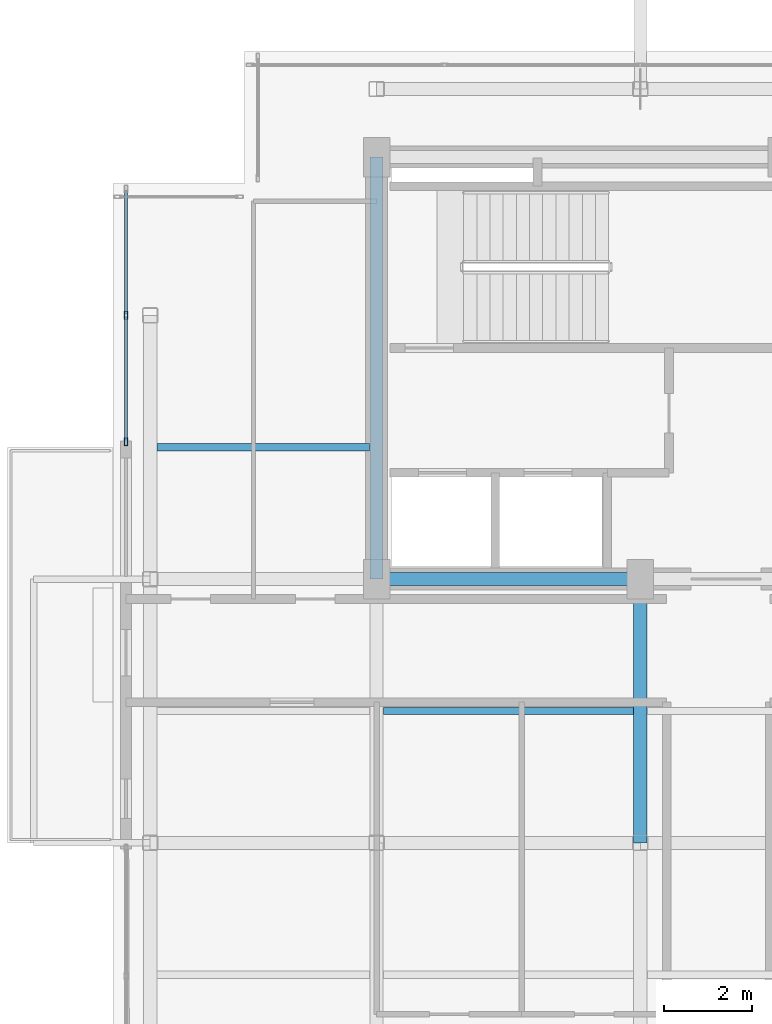
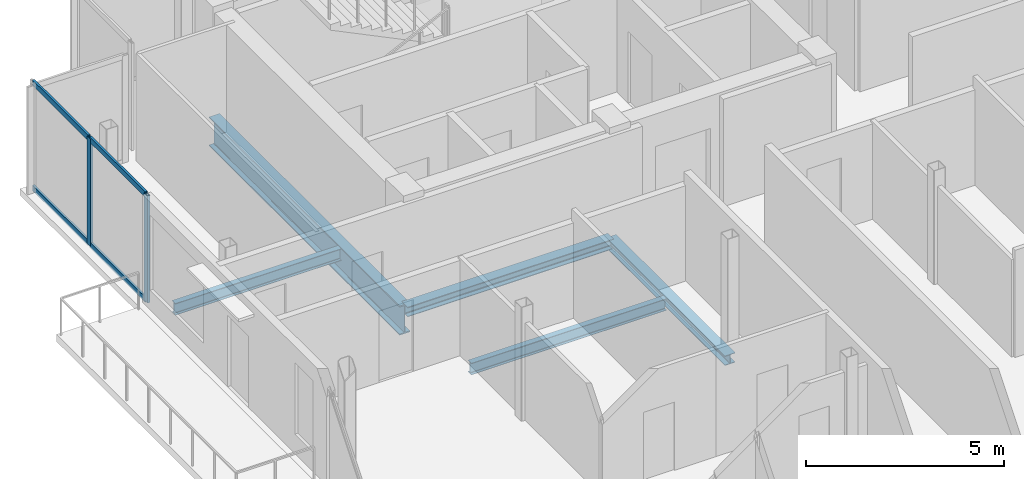
# One storey, part 7 of 18: 6 members, 5 beams, 1 element without a shape of its own.
"""IFC4 building model written with IfcOpenShell, lengths in metres."""

from ifc_helpers import new_model, si_unit, direction, frame, origin, origin_2d, place, context, subcontext, project, spatial, hollow_rectangle, i_section, extrude, material, layer, layer_set, material_profile, profile_set, type_object, element, aggregate, save


model = new_model("IFC4")

# Units and contexts
model_context = context("Model", 3, precision=1e-05, world=origin(), true_north=direction((0.0, 1.0)))
body_context = subcontext(model_context, "Body", "Model", "MODEL_VIEW")
ifc_project = project(units=[si_unit("LENGTHUNIT", "METRE"), si_unit("AREAUNIT", "SQUARE_METRE"), si_unit("VOLUMEUNIT", "CUBIC_METRE"), si_unit("PLANEANGLEUNIT", "RADIAN"), si_unit("MASSUNIT", "GRAM", prefix="KILO"), si_unit("THERMODYNAMICTEMPERATUREUNIT", "KELVIN"), si_unit("POWERUNIT", "WATT")], contexts=[model_context])

# Site, building, storey
site_placement = place(None, origin())
site = spatial("IfcSite", under=ifc_project, at=site_placement, CompositionType="ELEMENT")
building_placement = place(site_placement, origin())
building = spatial("IfcBuilding", under=site, at=building_placement, Name="Svarakhadi Broadcast Tower", CompositionType="ELEMENT")
storey_placement = place(building_placement, frame((0.0, 0.0, 253.699951171875)))
storey = spatial("IfcBuildingStorey", under=building, at=storey_placement, Name="L63", CompositionType="ELEMENT", Elevation=253.699951171875)

# Beams
ifc_material_1 = material(Name="Steel S355J2 (IS 2062 E350C)", Category="steel")
ifc_material_profile_1 = material_profile(ifc_material_1, i_section(OverallWidth=0.169921875, OverallDepth=0.360107421875, WebThickness=0.008056640625, FlangeThickness=0.0126953125, FilletRadius=0.01806640625, at=origin_2d()), Name="NPB 360x170x57")
ifc_profile_set_1 = profile_set([ifc_material_profile_1], Name="Steel S355J2 (IS 2062 E350C)")
beam_type_1 = type_object("IfcBeamType", Name="Beam_NPB360", PredefinedType="BEAM", material=ifc_profile_set_1)
beam_1_placement = place(storey_placement, frame((1.010009765625, 21.0, -0.3798828125), z_axis=(1.0, 0.0, 0.0), x_axis=(0.0, 1.0, 0.0)))
element("IfcBeam", 1, at=beam_1_placement, inside=storey, type_object=beam_type_1, Name="L63 Secondary Composite Beam SB003", PredefinedType="BEAM", context=body_context, shape_type="SweptSolid", body=[
    extrude(i_section(OverallWidth=0.169921875, OverallDepth=0.360107421875, WebThickness=0.008056640625, FlangeThickness=0.0126953125, FilletRadius=0.01806640625, at=origin_2d()), origin(), (0.0, 0.0, 1.0), 4.830078125),
])
beam_2_placement = place(storey_placement, frame((6.159912109375, 15.0, -0.3798828125), z_axis=(1.0, 0.0, 0.0), x_axis=(0.0, 1.0, 0.0)))
element("IfcBeam", 2, at=beam_2_placement, inside=storey, type_object=beam_type_1, Name="L63 Secondary Composite Beam SB006", PredefinedType="BEAM", context=body_context, shape_type="SweptSolid", body=[
    extrude(i_section(OverallWidth=0.169921875, OverallDepth=0.360107421875, WebThickness=0.008056640625, FlangeThickness=0.0126953125, FilletRadius=0.01806640625, at=origin_2d()), origin(), (0.0, 0.0, 1.0), 5.68017578125),
])

# Curtain wall, members
ifc_material_2 = material(Name="Anodised Bronze Aluminium AA 6063-T6", Category="aluminium")
ifc_layer = layer(ifc_material_2, 0.179931640625)
ifc_layer_set = layer_set([ifc_layer], Name="Anodised Bronze Aluminium AA 6063-T6")
curtain_wall_type = type_object("IfcCurtainWallType", Name="CW_Sys_05", PredefinedType="NOTDEFINED", material=ifc_layer_set)
curtain_wall_placement = place(storey_placement, origin())
curtain_wall = element("IfcCurtainWall", 3, at=curtain_wall_placement, inside=storey, type_object=curtain_wall_type, Name="L63 West Curtain Wall 03", PredefinedType="NOTDEFINED")
ifc_material_profile_2 = material_profile(ifc_material_2, hollow_rectangle(XDim=0.070068359375, YDim=0.179931640625, WallThickness=0.005615234375, at=origin_2d()), Name="ALU MULLION 180x70x6")
ifc_profile_set_2 = profile_set([ifc_material_profile_2], Name="Anodised Bronze Aluminium AA 6063-T6")
member_type_1 = type_object("IfcMemberType", Name="CW_Sys_05_Mul", PredefinedType="MULLION", material=ifc_profile_set_2)
member_1_placement = place(storey_placement, frame((0.300048828125, 21.125, 0.0), z_axis=(0.0, 0.0, 1.0), x_axis=(-1.0, 0.0, 0.0)))
member_1 = element("IfcMember", 4, at=member_1_placement, type_object=member_type_1, Name="CW-05 mullion 1", PredefinedType="MULLION", context=body_context, shape_type="SweptSolid", body=[
    extrude(hollow_rectangle(XDim=0.070068359375, YDim=0.179931640625, WallThickness=0.005615234375, at=origin_2d()), origin(), (0.0, 0.0, 1.0), 3.300048828125),
])
member_2_placement = place(storey_placement, frame((0.300048828125, 24.0, 0.0), z_axis=(0.0, 0.0, 1.0), x_axis=(-1.0, 0.0, 0.0)))
member_2 = element("IfcMember", 5, at=member_2_placement, type_object=member_type_1, Name="CW-05 mullion 2", PredefinedType="MULLION", context=body_context, shape_type="SweptSolid", body=[
    extrude(hollow_rectangle(XDim=0.070068359375, YDim=0.179931640625, WallThickness=0.005615234375, at=origin_2d()), origin(), (0.0, 0.0, 1.0), 3.300048828125),
])
ifc_material_profile_3 = material_profile(ifc_material_2, hollow_rectangle(XDim=0.06494140625, YDim=0.1650390625, WallThickness=0.0048828125, at=origin_2d()), Name="ALU TRANSOM 165x65x5")
ifc_profile_set_3 = profile_set([ifc_material_profile_3], Name="Anodised Bronze Aluminium AA 6063-T6")
member_type_2 = type_object("IfcMemberType", Name="CW_Sys_05_Trn", PredefinedType="USERDEFINED", material=ifc_profile_set_3)
member_3_placement = place(storey_placement, frame((0.300048828125, 21.159912109375, 0.032470703125), z_axis=(0.0, 1.0, 0.0), x_axis=(-1.0, 0.0, 0.0)))
member_3 = element("IfcMember", 6, at=member_3_placement, type_object=member_type_2, Name="CW-05 transom 1.1", ObjectType="TRANSOM", PredefinedType="USERDEFINED", context=body_context, shape_type="SweptSolid", body=[
    extrude(hollow_rectangle(XDim=0.06494140625, YDim=0.1650390625, WallThickness=0.0048828125, at=origin_2d()), origin(), (0.0, 0.0, 1.0), 2.80517578125),
])
member_4_placement = place(storey_placement, frame((0.300048828125, 21.159912109375, 3.267578125), z_axis=(0.0, 1.0, 0.0), x_axis=(-1.0, 0.0, 0.0)))
member_4 = element("IfcMember", 7, at=member_4_placement, type_object=member_type_2, Name="CW-05 transom 1.2", ObjectType="TRANSOM", PredefinedType="USERDEFINED", context=body_context, shape_type="SweptSolid", body=[
    extrude(hollow_rectangle(XDim=0.06494140625, YDim=0.1650390625, WallThickness=0.0048828125, at=origin_2d()), origin(), (0.0, 0.0, 1.0), 2.80517578125),
])
member_5_placement = place(storey_placement, frame((0.300048828125, 24.034912109375, 0.032470703125), z_axis=(0.0, 1.0, 0.0), x_axis=(-1.0, 0.0, 0.0)))
member_5 = element("IfcMember", 8, at=member_5_placement, type_object=member_type_2, Name="CW-05 transom 2.1", ObjectType="TRANSOM", PredefinedType="USERDEFINED", context=body_context, shape_type="SweptSolid", body=[
    extrude(hollow_rectangle(XDim=0.06494140625, YDim=0.1650390625, WallThickness=0.0048828125, at=origin_2d()), origin(), (0.0, 0.0, 1.0), 2.80517578125),
])
member_6_placement = place(storey_placement, frame((0.300048828125, 24.034912109375, 3.267578125), z_axis=(0.0, 1.0, 0.0), x_axis=(-1.0, 0.0, 0.0)))
member_6 = element("IfcMember", 9, at=member_6_placement, type_object=member_type_2, Name="CW-05 transom 2.2", ObjectType="TRANSOM", PredefinedType="USERDEFINED", context=body_context, shape_type="SweptSolid", body=[
    extrude(hollow_rectangle(XDim=0.06494140625, YDim=0.1650390625, WallThickness=0.0048828125, at=origin_2d()), origin(), (0.0, 0.0, 1.0), 2.80517578125),
])
aggregate(curtain_wall, [member_1, member_2, member_3, member_4, member_5, member_6])

# Beams
ifc_material_profile_4 = material_profile(ifc_material_1, i_section(OverallWidth=0.300048828125, OverallDepth=0.300048828125, WebThickness=0.010986328125, FlangeThickness=0.01904296875, FilletRadius=0.027099609375, at=origin_2d()), Name="WPB 300x300x117")
ifc_profile_set_4 = profile_set([ifc_material_profile_4], Name="Steel S355J2 (IS 2062 E350C)")
beam_type_2 = type_object("IfcBeamType", Name="Girder_WPB300", PredefinedType="USERDEFINED", material=ifc_profile_set_4)
for number, where, z_axis, x_axis, name in (
    (10, (6.0, 18.0, -0.349853515625), (1.0, 0.0, 0.0), (0.0, 1.0, 0.0), "L63 Primary E-W Girder G018"),
    (11, (12.0, 12.0, -0.349853515625), (0.0, 1.0, 0.0), (-1.0, 0.0, 0.0), "L63 Primary N-S Girder G035"),
):
    element("IfcBeam", number, at=place(storey_placement, frame(where, z_axis=z_axis, x_axis=x_axis)), inside=storey, type_object=beam_type_2, Name=name, ObjectType="GIRDER", PredefinedType="USERDEFINED", context=body_context, shape_type="SweptSolid", body=[
        extrude(i_section(OverallWidth=0.300048828125, OverallDepth=0.300048828125, WebThickness=0.010986328125, FlangeThickness=0.01904296875, FilletRadius=0.027099609375, at=origin_2d()), origin(), (0.0, 0.0, 1.0), 6.0),
    ])
ifc_material_3 = material(Name="Steel S460ML (IS 2062 E450BR)", Category="steel")
ifc_material_profile_5 = material_profile(ifc_material_3, i_section(OverallWidth=0.300048828125, OverallDepth=0.89990234375, WebThickness=0.0185546875, FlangeThickness=0.034912109375, FilletRadius=0.030029296875, at=origin_2d()), Name="WPB 900x300x291")
ifc_profile_set_5 = profile_set([ifc_material_profile_5], Name="Steel S460ML (IS 2062 E450BR)")
beam_type_3 = type_object("IfcBeamType", Name="Girder_WPB900", PredefinedType="USERDEFINED", material=ifc_profile_set_5)
beam_3_placement = place(storey_placement, frame((6.0, 18.0, -0.64990234375), z_axis=(0.0, 1.0, 0.0), x_axis=(-1.0, 0.0, 0.0)))
element("IfcBeam", 12, at=beam_3_placement, inside=storey, type_object=beam_type_3, Name="L63 Primary N-S Girder G032", ObjectType="GIRDER", PredefinedType="USERDEFINED", context=body_context, shape_type="SweptSolid", body=[
    extrude(i_section(OverallWidth=0.300048828125, OverallDepth=0.89990234375, WebThickness=0.0185546875, FlangeThickness=0.034912109375, FilletRadius=0.030029296875, at=origin_2d()), origin(), (0.0, 0.0, 1.0), 9.60009765625),
])

save(model, "model.ifc")
